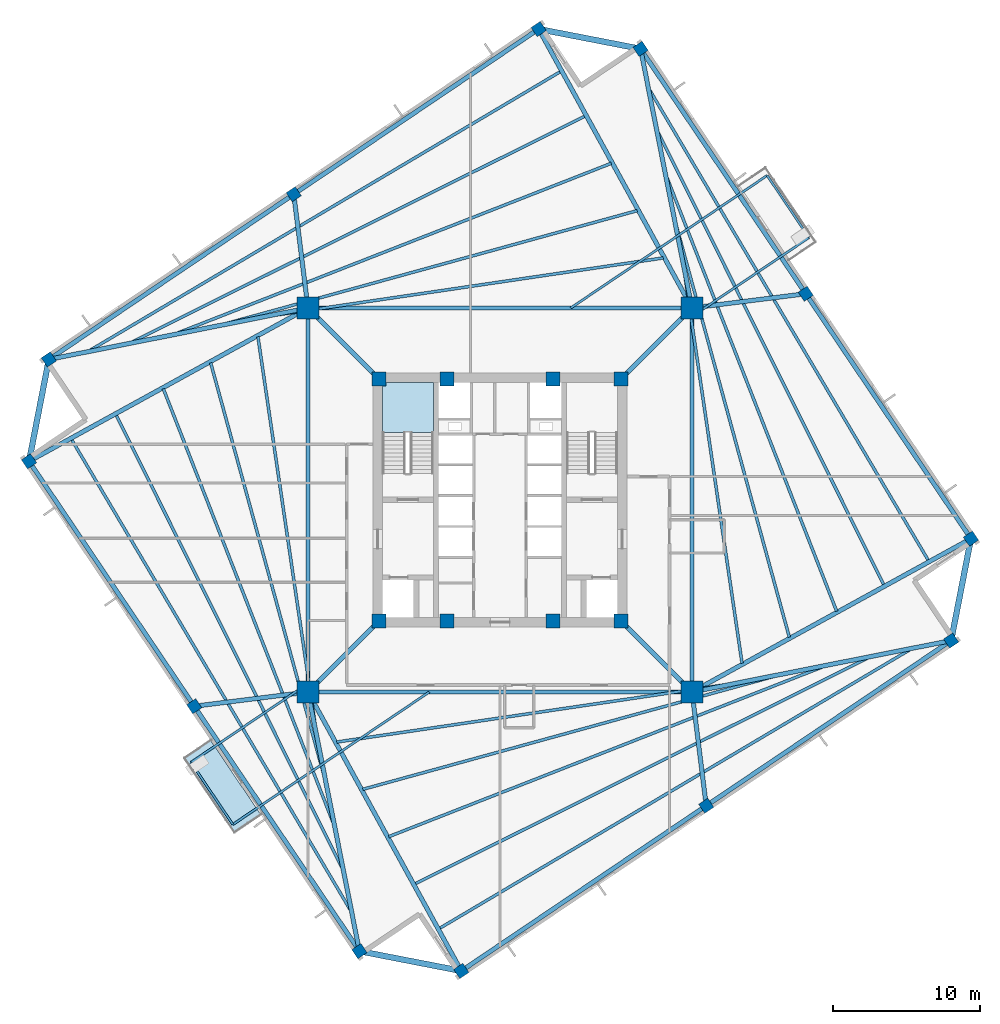
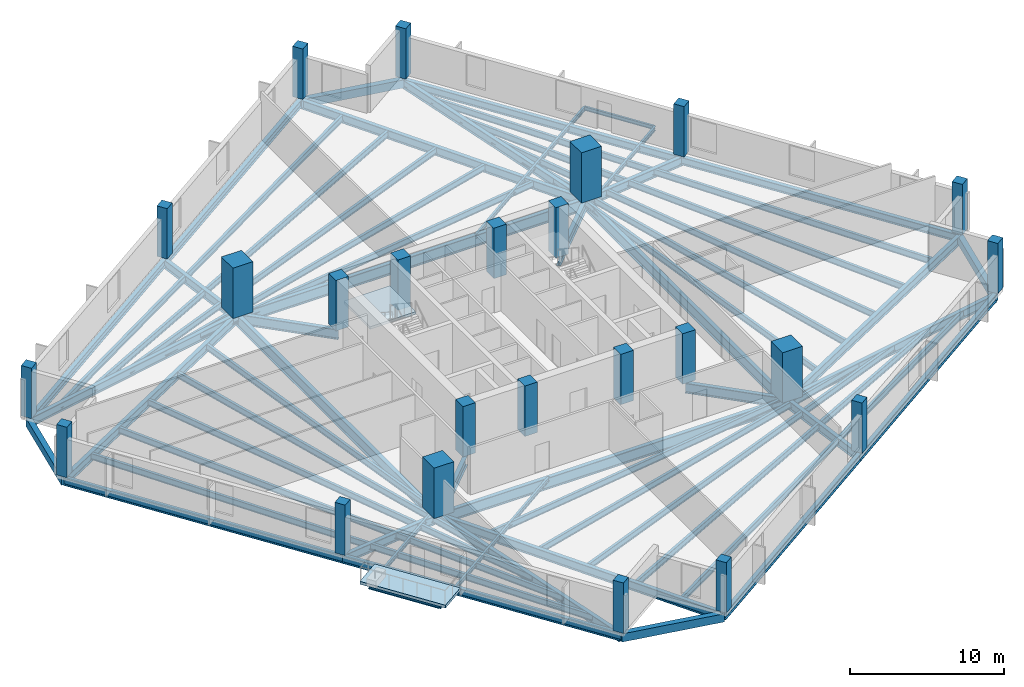
# One storey, part 1 of 9: 58 beams, 24 columns, 2 slabs, 1 element without a shape of its own.
"""IFC4 building model written with IfcOpenShell, lengths in metres."""

from ifc_helpers import new_model, si_unit, direction, frame, origin, origin_2d, place, context, subcontext, project, spatial, polyline, rectangle, i_section, outline, extrude, source, transform, mapped, material, layer, layer_set, material_profile, profile_set, type_object, element, aggregate, save


model = new_model("IFC4")

# Units and contexts
model_context = context("Model", 3, precision=1e-05, world=origin(), true_north=direction((0.0, 1.0)))
body_context = subcontext(model_context, "Body", "Model", "MODEL_VIEW")
ifc_project = project(units=[si_unit("LENGTHUNIT", "METRE"), si_unit("AREAUNIT", "SQUARE_METRE"), si_unit("VOLUMEUNIT", "CUBIC_METRE"), si_unit("PLANEANGLEUNIT", "RADIAN"), si_unit("MASSUNIT", "GRAM", prefix="KILO"), si_unit("THERMODYNAMICTEMPERATUREUNIT", "KELVIN")], contexts=[model_context])

# Site, building, storey
site_placement = place(None, origin())
site = spatial("IfcSite", under=ifc_project, at=site_placement, CompositionType="ELEMENT")
building_placement = place(site_placement, origin())
building = spatial("IfcBuilding", under=site, at=building_placement, Name="Kosmvard Interchange Tower", CompositionType="ELEMENT")
storey_placement = place(building_placement, frame((0.0, 0.0, 180.39990234375)))
storey = spatial("IfcBuildingStorey", under=building, at=storey_placement, Name="L43", CompositionType="ELEMENT", Elevation=180.39990234375)

# Columns
ifc_material_1 = material(Name="Concrete C60/75", Category="concrete")
ifc_material_profile_1 = material_profile(ifc_material_1, rectangle(XDim=0.949951171875, YDim=0.949951171875, at=origin_2d()), Name="CP 950x950")
ifc_profile_set_1 = profile_set([ifc_material_profile_1], Name="Concrete C60/75")
column_type_1 = type_object("IfcColumnType", Name="Core Boundary Pilaster 950x950 C60/75", PredefinedType="PILASTER", material=ifc_profile_set_1)
shared_shape_1 = source(origin(), body_context, "Body", "SweptSolid", [
    extrude(rectangle(XDim=0.949951171875, YDim=0.949951171875, at=origin_2d()), origin(), (0.0, 0.0, 1.0), 4.0),
])
for number, where, z_axis, x_axis, name in (
    (1, (-8.25, -8.25, 0.0), (0.0, 0.0, 1.0), (1.0, 0.0, 0.0), "L43 Core Pilaster CP1"),
    (2, (8.25, -8.25, 0.0), (0.0, 0.0, 1.0), (1.0, 0.0, 0.0), "L43 Core Pilaster CP2"),
    (3, (8.25, 8.25, 0.0), (0.0, 0.0, 1.0), (1.0, 0.0, 0.0), "L43 Core Pilaster CP3"),
    (4, (-8.25, 8.25, 0.0), (0.0, 0.0, 1.0), (1.0, 0.0, 0.0), "L43 Core Pilaster CP4"),
    (5, (-3.60009765625, -8.25, 0.0), (0.0, 0.0, 1.0), (1.0, 0.0, 0.0), "L43 Core Pilaster CP5"),
    (6, (3.60009765625, -8.25, 0.0), (0.0, 0.0, 1.0), (1.0, 0.0, 0.0), "L43 Core Pilaster CP6"),
    (7, (-3.60009765625, 8.25, 0.0), (0.0, 0.0, 1.0), (1.0, 0.0, 0.0), "L43 Core Pilaster CP7"),
    (8, (3.60009765625, 8.25, 0.0), (0.0, 0.0, 1.0), (1.0, 0.0, 0.0), "L43 Core Pilaster CP8"),
):
    element("IfcColumn", number, at=place(storey_placement, frame(where, z_axis=z_axis, x_axis=x_axis)), inside=storey, type_object=column_type_1, Name=name, PredefinedType="PILASTER", context=body_context, shape_type="MappedRepresentation", body=[
        mapped(shared_shape_1, transform((0.0, 0.0, 0.0), scale=1.0)),
    ])
ifc_material_profile_2 = material_profile(ifc_material_1, rectangle(XDim=1.5, YDim=1.5, at=origin_2d()), Name="MC 1500x1500")
ifc_profile_set_2 = profile_set([ifc_material_profile_2], Name="Concrete C60/75")
column_type_2 = type_object("IfcColumnType", Name="Composite Mega-Column 1500x1500 C60/75", PredefinedType="COLUMN", material=ifc_profile_set_2)
shared_shape_2 = source(origin(), body_context, "Body", "SweptSolid", [
    extrude(rectangle(XDim=1.5, YDim=1.5, at=origin_2d()), origin(), (0.0, 0.0, 1.0), 4.0),
])
for number, where, z_axis, x_axis, name in (
    (9, (-13.0810546875, -13.0810546875, 0.0), (0.0, 0.0, 1.0), (1.0, 0.0, 0.0), "L43 Corner Mega-Column MC1"),
    (10, (13.0810546875, -13.0810546875, 0.0), (0.0, 0.0, 1.0), (1.0, 0.0, 0.0), "L43 Corner Mega-Column MC2"),
    (11, (13.0810546875, 13.0810546875, 0.0), (0.0, 0.0, 1.0), (1.0, 0.0, 0.0), "L43 Corner Mega-Column MC3"),
    (12, (-13.0810546875, 13.0810546875, 0.0), (0.0, 0.0, 1.0), (1.0, 0.0, 0.0), "L43 Corner Mega-Column MC4"),
):
    element("IfcColumn", number, at=place(storey_placement, frame(where, z_axis=z_axis, x_axis=x_axis)), inside=storey, type_object=column_type_2, Name=name, PredefinedType="COLUMN", context=body_context, shape_type="MappedRepresentation", body=[
        mapped(shared_shape_2, transform((0.0, 0.0, 0.0), scale=1.0)),
    ])
ifc_material_2 = material(Name="Concrete C50/60", Category="concrete")
ifc_material_profile_3 = material_profile(ifc_material_2, rectangle(XDim=0.75, YDim=0.75, at=origin_2d()), Name="TC 750x750")
ifc_profile_set_3 = profile_set([ifc_material_profile_3], Name="Concrete C50/60")
column_type_3 = type_object("IfcColumnType", Name="Zone 3 Perimeter Pier Column 750x750 C50/60", PredefinedType="COLUMN", material=ifc_profile_set_3)
shared_shape_3 = source(origin(), body_context, "Body", "SweptSolid", [
    extrude(rectangle(XDim=0.75, YDim=0.75, at=origin_2d()), origin(), (0.0, 0.0, 1.0), 4.0),
])
for number, where, z_axis, x_axis, name in (
    (13, (-2.634765625, -32.083251953125, 0.0), (0.0, 0.0, 1.0), (0.829037572555, 0.559192903471, 0.0), "L43 Perimeter Pier Column TC-S1"),
    (14, (14.0498046875, -20.82958984375, 0.0), (0.0, 0.0, 1.0), (0.829037572555, 0.559192903471, 0.0), "L43 Perimeter Pier Column TC-S2"),
    (15, (30.734130859375, -9.575927734375, 0.0), (0.0, 0.0, 1.0), (0.829037572555, 0.559192903471, 0.0), "L43 Perimeter Pier Column TC-S3"),
    (16, (32.083251953125, -2.634765625, 0.0), (0.0, 0.0, 1.0), (0.829037572555, 0.559192903471, 0.0), "L43 Perimeter Pier Column TC-E1"),
    (17, (20.82958984375, 14.0498046875, 0.0), (0.0, 0.0, 1.0), (0.829037572555, 0.559192903471, 0.0), "L43 Perimeter Pier Column TC-E2"),
    (18, (9.575927734375, 30.734130859375, 0.0), (0.0, 0.0, 1.0), (0.829037572555, 0.559192903471, 0.0), "L43 Perimeter Pier Column TC-E3"),
    (19, (2.634765625, 32.083251953125, 0.0), (0.0, 0.0, 1.0), (0.829037572555, 0.559192903471, 0.0), "L43 Perimeter Pier Column TC-N1"),
    (20, (-14.0498046875, 20.82958984375, 0.0), (0.0, 0.0, 1.0), (0.829037572555, 0.559192903471, 0.0), "L43 Perimeter Pier Column TC-N2"),
    (21, (-30.734130859375, 9.575927734375, 0.0), (0.0, 0.0, 1.0), (0.829037572555, 0.559192903471, 0.0), "L43 Perimeter Pier Column TC-N3"),
    (22, (-32.083251953125, 2.634765625, 0.0), (0.0, 0.0, 1.0), (0.829037572555, 0.559192903471, 0.0), "L43 Perimeter Pier Column TC-W1"),
    (23, (-20.82958984375, -14.0498046875, 0.0), (0.0, 0.0, 1.0), (0.829037572555, 0.559192903471, 0.0), "L43 Perimeter Pier Column TC-W2"),
    (24, (-9.575927734375, -30.734130859375, 0.0), (0.0, 0.0, 1.0), (0.829037572555, 0.559192903471, 0.0), "L43 Perimeter Pier Column TC-W3"),
):
    element("IfcColumn", number, at=place(storey_placement, frame(where, z_axis=z_axis, x_axis=x_axis)), inside=storey, type_object=column_type_3, Name=name, PredefinedType="COLUMN", context=body_context, shape_type="MappedRepresentation", body=[
        mapped(shared_shape_3, transform((0.0, 0.0, 0.0), scale=1.0)),
    ])

# Beams
ifc_material_3 = material(Name="Steel S355", Category="steel")
ifc_material_profile_4 = material_profile(ifc_material_3, i_section(OverallWidth=0.14990234375, OverallDepth=0.300048828125, WebThickness=0.007080078125, FlangeThickness=0.0107421875, FilletRadius=0.014892578125, at=origin_2d()), Name="IPE 300")
ifc_profile_set_4 = profile_set([ifc_material_profile_4], Name="Steel S355")
beam_type_1 = type_object("IfcBeamType", Name="Balcony Edge Header Joist IPE 300 S355", PredefinedType="JOIST", material=ifc_profile_set_4)
shared_shape_4 = source(origin(), body_context, "Body", "SweptSolid", [
    extrude(i_section(OverallWidth=0.14990234375, OverallDepth=0.300048828125, WebThickness=0.007080078125, FlangeThickness=0.0107421875, FilletRadius=0.014892578125, at=origin_2d()), origin(), (0.0, 0.0, 1.0), 5.099853515625),
])
for number, where, z_axis, x_axis, name in (
    (25, (21.051513671875, 17.87841796875, -0.409912109375), (-0.559188346666, 0.82904064614, 0.0), (-0.82904064614, -0.559188346666, 0.0), "BM-L43-BJH1"),
    (26, (-21.051513671875, -17.87841796875, -0.409912109375), (0.559188346666, -0.82904064614, 0.0), (0.82904064614, 0.559188346666, 0.0), "BM-L43-BJH2"),
):
    element("IfcBeam", number, at=place(storey_placement, frame(where, z_axis=z_axis, x_axis=x_axis)), inside=storey, type_object=beam_type_1, Name=name, PredefinedType="JOIST", context=body_context, shape_type="MappedRepresentation", body=[
        mapped(shared_shape_4, transform((0.0, 0.0, 0.0), scale=1.0)),
    ])
ifc_material_profile_5 = material_profile(ifc_material_3, i_section(OverallWidth=0.300048828125, OverallDepth=0.800048828125, WebThickness=0.017578125, FlangeThickness=0.032958984375, FilletRadius=0.027099609375, at=origin_2d()), Name="HEB 800")
ifc_profile_set_5 = profile_set([ifc_material_profile_5], Name="Steel S355")
beam_type_2 = type_object("IfcBeamType", Name="Primary Mega-Frame Girder HEB 800 S355", PredefinedType="BEAM", material=ifc_profile_set_5)
shared_shape_5 = source(origin(), body_context, "Body", "SweptSolid", [
    extrude(i_section(OverallWidth=0.300048828125, OverallDepth=0.800048828125, WebThickness=0.017578125, FlangeThickness=0.032958984375, FilletRadius=0.027099609375, at=origin_2d()), origin(), (0.0, 0.0, 1.0), 6.83203125),
])
for number, where, z_axis, x_axis, name in (
    (27, (-8.25, -8.25, -0.659912109375), (-0.707106781187, -0.707106781187, 0.0), (0.707106781187, -0.707106781187, 0.0), "L43 Radial Mega-Frame Girder 1"),
    (28, (8.25, -8.25, -0.659912109375), (0.707106781187, -0.707106781187, 0.0), (0.707106781187, 0.707106781187, 0.0), "L43 Radial Mega-Frame Girder 2"),
    (29, (8.25, 8.25, -0.659912109375), (0.707106781187, 0.707106781187, 0.0), (-0.707106781187, 0.707106781187, 0.0), "L43 Radial Mega-Frame Girder 3"),
    (30, (-8.25, 8.25, -0.659912109375), (-0.707106781187, 0.707106781187, 0.0), (-0.707106781187, -0.707106781187, 0.0), "L43 Radial Mega-Frame Girder 4"),
):
    element("IfcBeam", number, at=place(storey_placement, frame(where, z_axis=z_axis, x_axis=x_axis)), inside=storey, type_object=beam_type_2, Name=name, PredefinedType="BEAM", context=body_context, shape_type="MappedRepresentation", body=[
        mapped(shared_shape_5, transform((0.0, 0.0, 0.0), scale=1.0)),
    ])
ifc_material_profile_6 = material_profile(ifc_material_3, i_section(OverallWidth=0.300048828125, OverallDepth=0.89990234375, WebThickness=0.0185546875, FlangeThickness=0.034912109375, FilletRadius=0.030029296875, at=origin_2d()), Name="HEB 900")
ifc_profile_set_6 = profile_set([ifc_material_profile_6], Name="Steel S355")
beam_type_3 = type_object("IfcBeamType", Name="Mega-Column Ring Girder HEB 900 S355", PredefinedType="BEAM", material=ifc_profile_set_6)
shared_shape_6 = source(origin(), body_context, "Body", "SweptSolid", [
    extrude(i_section(OverallWidth=0.300048828125, OverallDepth=0.89990234375, WebThickness=0.0185546875, FlangeThickness=0.034912109375, FilletRadius=0.030029296875, at=origin_2d()), origin(), (0.0, 0.0, 1.0), 26.162109375),
])
for number, where, z_axis, x_axis, name in (
    (31, (-13.0810546875, -13.0810546875, -0.7099609375), (1.0, 0.0, 0.0), (0.0, 1.0, 0.0), "L43 Mega-Column Ring Girder 1"),
    (32, (13.0810546875, -13.0810546875, -0.7099609375), (0.0, 1.0, 0.0), (-1.0, 0.0, 0.0), "L43 Mega-Column Ring Girder 2"),
    (33, (13.0810546875, 13.0810546875, -0.7099609375), (-1.0, 0.0, 0.0), (0.0, -1.0, 0.0), "L43 Mega-Column Ring Girder 3"),
    (34, (-13.0810546875, 13.0810546875, -0.7099609375), (0.0, -1.0, 0.0), (1.0, 0.0, 0.0), "L43 Mega-Column Ring Girder 4"),
):
    element("IfcBeam", number, at=place(storey_placement, frame(where, z_axis=z_axis, x_axis=x_axis)), inside=storey, type_object=beam_type_3, Name=name, PredefinedType="BEAM", context=body_context, shape_type="MappedRepresentation", body=[
        mapped(shared_shape_6, transform((0.0, 0.0, 0.0), scale=1.0)),
    ])
ifc_material_profile_7 = material_profile(ifc_material_3, i_section(OverallWidth=0.300048828125, OverallDepth=0.60009765625, WebThickness=0.015380859375, FlangeThickness=0.030029296875, FilletRadius=0.027099609375, at=origin_2d()), Name="HEB 600")
ifc_profile_set_7 = profile_set([ifc_material_profile_7], Name="Steel S355")
beam_type_4 = type_object("IfcBeamType", Name="Perimeter Tie Girder HEB 600 S355", PredefinedType="BEAM", material=ifc_profile_set_7)
shared_shape_7 = source(origin(), body_context, "Body", "SweptSolid", [
    extrude(i_section(OverallWidth=0.300048828125, OverallDepth=0.60009765625, WebThickness=0.015380859375, FlangeThickness=0.030029296875, FilletRadius=0.027099609375, at=origin_2d()), origin(), (0.0, 0.0, 1.0), 20.125),
])
for number, where, z_axis, x_axis, name in (
    (35, (-2.634765625, -32.083251953125, -0.559814453125), (0.82904270175, 0.559185299051, 0.0), (-0.559185299051, 0.82904270175, 0.0), "BM-L43-PR01"),
    (36, (14.0498046875, -20.82958984375, -0.559814453125), (0.829038908426, 0.559190922956, 0.0), (-0.559190922956, 0.829038908426, 0.0), "BM-L43-PR02"),
    (37, (32.083251953125, -2.634765625, -0.559814453125), (-0.559185299051, 0.82904270175, 0.0), (-0.82904270175, -0.559185299051, 0.0), "BM-L43-PR04"),
    (38, (20.82958984375, 14.0498046875, -0.559814453125), (-0.559190922956, 0.829038908426, 0.0), (-0.829038908426, -0.559190922956, 0.0), "BM-L43-PR05"),
    (39, (2.634765625, 32.083251953125, -0.559814453125), (-0.82904270175, -0.559185299051, 0.0), (0.559185299051, -0.82904270175, 0.0), "BM-L43-PR07"),
    (40, (-14.0498046875, 20.82958984375, -0.559814453125), (-0.829038908426, -0.559190922956, 0.0), (0.559190922956, -0.829038908426, 0.0), "BM-L43-PR08"),
    (41, (-32.083251953125, 2.634765625, -0.559814453125), (0.559185299051, -0.82904270175, 0.0), (0.82904270175, 0.559185299051, 0.0), "BM-L43-PR10"),
    (42, (-20.82958984375, -14.0498046875, -0.559814453125), (0.559190922956, -0.829038908426, 0.0), (0.829038908426, 0.559190922956, 0.0), "BM-L43-PR11"),
):
    element("IfcBeam", number, at=place(storey_placement, frame(where, z_axis=z_axis, x_axis=x_axis)), inside=storey, type_object=beam_type_4, Name=name, PredefinedType="BEAM", context=body_context, shape_type="MappedRepresentation", body=[
        mapped(shared_shape_7, transform((0.0, 0.0, 0.0), scale=1.0)),
    ])
ifc_material_profile_8 = material_profile(ifc_material_3, i_section(OverallWidth=0.300048828125, OverallDepth=0.699951171875, WebThickness=0.01708984375, FlangeThickness=0.031982421875, FilletRadius=0.027099609375, at=origin_2d()), Name="HEB 700")
ifc_profile_set_8 = profile_set([ifc_material_profile_8], Name="Steel S355")
beam_type_5 = type_object("IfcBeamType", Name="Primary Floor Girder HEB 700 S355", PredefinedType="BEAM", material=ifc_profile_set_8)
shared_shape_8 = source(origin(), body_context, "Body", "SweptSolid", [
    extrude(i_section(OverallWidth=0.300048828125, OverallDepth=0.699951171875, WebThickness=0.01708984375, FlangeThickness=0.031982421875, FilletRadius=0.027099609375, at=origin_2d()), origin(), (0.0, 0.0, 1.0), 21.684326171875),
])
for number, where, z_axis, x_axis, name in (
    (43, (-13.0810546875, -13.0810546875, -0.60986328125), (0.48174456271, -0.876311689012, 0.0), (0.876311689012, 0.48174456271, 0.0), "BM-L43-RD01"),
    (44, (13.0810546875, -13.0810546875, -0.60986328125), (0.876311689012, 0.48174456271, 0.0), (-0.48174456271, 0.876311689012, 0.0), "BM-L43-RD04"),
    (45, (13.0810546875, 13.0810546875, -0.60986328125), (-0.48174456271, 0.876311689012, 0.0), (-0.876311689012, -0.48174456271, 0.0), "BM-L43-RD07"),
    (46, (-13.0810546875, 13.0810546875, -0.60986328125), (-0.876311689012, -0.48174456271, 0.0), (0.48174456271, -0.876311689012, 0.0), "BM-L43-RD10"),
):
    element("IfcBeam", number, at=place(storey_placement, frame(where, z_axis=z_axis, x_axis=x_axis)), inside=storey, type_object=beam_type_5, Name=name, PredefinedType="BEAM", context=body_context, shape_type="MappedRepresentation", body=[
        mapped(shared_shape_8, transform((0.0, 0.0, 0.0), scale=1.0)),
    ])
shared_shape_9 = source(origin(), body_context, "Body", "SweptSolid", [
    extrude(i_section(OverallWidth=0.300048828125, OverallDepth=0.699951171875, WebThickness=0.01708984375, FlangeThickness=0.031982421875, FilletRadius=0.027099609375, at=origin_2d()), origin(), (0.0, 0.0, 1.0), 7.808837890625),
])
for number, where, z_axis, x_axis, name in (
    (47, (13.0810546875, -13.0810546875, -0.60986328125), (0.12405782224, -0.992274990485, 0.0), (0.992274990485, 0.12405782224, 0.0), "BM-L43-RD02"),
    (48, (13.0810546875, 13.0810546875, -0.60986328125), (0.992274990485, 0.12405782224, 0.0), (-0.12405782224, 0.992274990485, 0.0), "BM-L43-RD05"),
    (49, (-13.0810546875, 13.0810546875, -0.60986328125), (-0.12405782224, 0.992274990485, 0.0), (-0.992274990485, -0.12405782224, 0.0), "BM-L43-RD08"),
    (50, (-13.0810546875, -13.0810546875, -0.60986328125), (-0.992274990485, -0.12405782224, 0.0), (0.12405782224, -0.992274990485, 0.0), "BM-L43-RD11"),
):
    element("IfcBeam", number, at=place(storey_placement, frame(where, z_axis=z_axis, x_axis=x_axis)), inside=storey, type_object=beam_type_5, Name=name, PredefinedType="BEAM", context=body_context, shape_type="MappedRepresentation", body=[
        mapped(shared_shape_9, transform((0.0, 0.0, 0.0), scale=1.0)),
    ])
ifc_material_4 = material(Name="Precast concrete C45/55", Category="concrete")
ifc_material_profile_9 = material_profile(ifc_material_4, rectangle(XDim=0.39990234375, YDim=0.64990234375, at=origin_2d()), Name="SL 400x650")
ifc_profile_set_9 = profile_set([ifc_material_profile_9], Name="Precast concrete C45/55")
beam_type_6 = type_object("IfcBeamType", Name="Precast Spandrel Lintel 400x650 C45/55", PredefinedType="LINTEL", material=ifc_profile_set_9)
shared_shape_10 = source(origin(), body_context, "Body", "SweptSolid", [
    extrude(rectangle(XDim=0.39990234375, YDim=0.64990234375, at=origin_2d()), origin(), (0.0, 0.0, 1.0), 7.071044921875),
])
for number, where, z_axis, x_axis, name in (
    (51, (30.734130859375, -9.575927734375, -0.5849609375), (0.190794803533, 0.981629941956, 0.0), (-0.981629941956, 0.190794803533, 0.0), "BM-L43-SL1"),
    (52, (9.575927734375, 30.734130859375, -0.5849609375), (-0.981629941956, 0.190794803533, 0.0), (-0.190794803533, -0.981629941956, 0.0), "BM-L43-SL2"),
    (53, (-30.734130859375, 9.575927734375, -0.5849609375), (-0.190794803533, -0.981629941956, 0.0), (0.981629941956, -0.190794803533, 0.0), "BM-L43-SL3"),
    (54, (-9.575927734375, -30.734130859375, -0.5849609375), (0.981629941956, -0.190794803533, 0.0), (0.190794803533, 0.981629941956, 0.0), "BM-L43-SL4"),
):
    element("IfcBeam", number, at=place(storey_placement, frame(where, z_axis=z_axis, x_axis=x_axis)), inside=storey, type_object=beam_type_6, Name=name, PredefinedType="LINTEL", context=body_context, shape_type="MappedRepresentation", body=[
        mapped(shared_shape_10, transform((0.0, 0.0, 0.0), scale=1.0)),
    ])
shared_shape_11 = source(origin(), body_context, "Body", "SweptSolid", [
    extrude(i_section(OverallWidth=0.300048828125, OverallDepth=0.699951171875, WebThickness=0.01708984375, FlangeThickness=0.031982421875, FilletRadius=0.027099609375, at=origin_2d()), origin(), (0.0, 0.0, 1.0), 17.997802734375),
])
for number, where, z_axis, x_axis, name in (
    (55, (13.0810546875, -13.0810546875, -0.60986328125), (0.980852075755, 0.194754218148, 0.0), (-0.194754218148, 0.980852075755, 0.0), "BM-L43-RD03"),
    (56, (13.0810546875, 13.0810546875, -0.60986328125), (-0.194754218148, 0.980852075755, 0.0), (-0.980852075755, -0.194754218148, 0.0), "BM-L43-RD06"),
    (57, (-13.0810546875, 13.0810546875, -0.60986328125), (-0.980852075755, -0.194754218148, 0.0), (0.194754218148, -0.980852075755, 0.0), "BM-L43-RD09"),
    (58, (-13.0810546875, -13.0810546875, -0.60986328125), (0.194754218148, -0.980852075755, 0.0), (0.980852075755, 0.194754218148, 0.0), "BM-L43-RD12"),
):
    element("IfcBeam", number, at=place(storey_placement, frame(where, z_axis=z_axis, x_axis=x_axis)), inside=storey, type_object=beam_type_5, Name=name, PredefinedType="BEAM", context=body_context, shape_type="MappedRepresentation", body=[
        mapped(shared_shape_11, transform((0.0, 0.0, 0.0), scale=1.0)),
    ])
ifc_material_profile_10 = material_profile(ifc_material_3, i_section(OverallWidth=0.199951171875, OverallDepth=0.5, WebThickness=0.01025390625, FlangeThickness=0.01611328125, FilletRadius=0.02099609375, at=origin_2d()), Name="IPE 500")
ifc_profile_set_10 = profile_set([ifc_material_profile_10], Name="Steel S355")
beam_type_7 = type_object("IfcBeamType", Name="Standard Floor Joist IPE 500 S355", PredefinedType="JOIST", material=ifc_profile_set_10)
shared_shape_12 = source(origin(), body_context, "Body", "SweptSolid", [
    extrude(i_section(OverallWidth=0.199951171875, OverallDepth=0.5, WebThickness=0.01025390625, FlangeThickness=0.01611328125, FilletRadius=0.02099609375, at=origin_2d()), origin(), (0.0, 0.0, 1.0), 27.5966796875),
])
for number, where, z_axis, x_axis, name in (
    (59, (-11.12158203125, -16.48974609375, -0.510009765625), (0.989290070387, 0.145962860463, 0.0), (-0.145962860463, 0.989290070387, 0.0), "BM-L43-FJ01"),
    (60, (16.48974609375, -11.12158203125, -0.510009765625), (-0.145962860463, 0.989290070387, 0.0), (-0.989290070387, -0.145962860463, 0.0), "BM-L43-FJ06"),
    (61, (11.12158203125, 16.48974609375, -0.510009765625), (-0.989290070387, -0.145962860463, 0.0), (0.145962860463, -0.989290070387, 0.0), "BM-L43-FJ11"),
    (62, (-16.48974609375, 11.12158203125, -0.510009765625), (0.145962860463, -0.989290070387, 0.0), (0.989290070387, 0.145962860463, 0.0), "BM-L43-FJ16"),
):
    element("IfcBeam", number, at=place(storey_placement, frame(where, z_axis=z_axis, x_axis=x_axis)), inside=storey, type_object=beam_type_7, Name=name, PredefinedType="JOIST", context=body_context, shape_type="MappedRepresentation", body=[
        mapped(shared_shape_12, transform((0.0, 0.0, 0.0), scale=1.0)),
    ])
shared_shape_13 = source(origin(), body_context, "Body", "SweptSolid", [
    extrude(i_section(OverallWidth=0.199951171875, OverallDepth=0.5, WebThickness=0.01025390625, FlangeThickness=0.01611328125, FilletRadius=0.02099609375, at=origin_2d()), origin(), (0.0, 0.0, 1.0), 29.58642578125),
])
for number, where, z_axis, x_axis, name in (
    (63, (-9.34765625, -19.710693359375, -0.510009765625), (0.964296527467, 0.264824861209, 0.0), (-0.264824861209, 0.964296527467, 0.0), "BM-L43-FJ02"),
    (64, (19.710693359375, -9.34765625, -0.510009765625), (-0.264824861209, 0.964296527467, 0.0), (-0.964296527467, -0.264824861209, 0.0), "BM-L43-FJ07"),
    (65, (9.34765625, 19.710693359375, -0.510009765625), (-0.964296527467, -0.264824861209, 0.0), (0.264824861209, -0.964296527467, 0.0), "BM-L43-FJ12"),
    (66, (-19.710693359375, 9.34765625, -0.510009765625), (0.264824861209, -0.964296527467, 0.0), (0.964296527467, 0.264824861209, 0.0), "BM-L43-FJ17"),
):
    element("IfcBeam", number, at=place(storey_placement, frame(where, z_axis=z_axis, x_axis=x_axis)), inside=storey, type_object=beam_type_7, Name=name, PredefinedType="JOIST", context=body_context, shape_type="MappedRepresentation", body=[
        mapped(shared_shape_13, transform((0.0, 0.0, 0.0), scale=1.0)),
    ])
shared_shape_14 = source(origin(), body_context, "Body", "SweptSolid", [
    extrude(i_section(OverallWidth=0.199951171875, OverallDepth=0.5, WebThickness=0.01025390625, FlangeThickness=0.01611328125, FilletRadius=0.02099609375, at=origin_2d()), origin(), (0.0, 0.0, 1.0), 31.9580078125),
])
for number, where, z_axis, x_axis, name in (
    (67, (-7.574462890625, -22.93310546875, -0.510009765625), (0.931239172846, 0.364408565976, 0.0), (-0.364408565976, 0.931239172846, 0.0), "BM-L43-FJ03"),
    (68, (22.93310546875, -7.574462890625, -0.510009765625), (-0.364408565976, 0.931239172846, 0.0), (-0.931239172846, -0.364408565976, 0.0), "BM-L43-FJ08"),
    (69, (7.574462890625, 22.93310546875, -0.510009765625), (-0.931239172846, -0.364408565976, 0.0), (0.364408565976, -0.931239172846, 0.0), "BM-L43-FJ13"),
    (70, (-22.93310546875, 7.574462890625, -0.510009765625), (0.364408565976, -0.931239172846, 0.0), (0.931239172846, 0.364408565976, 0.0), "BM-L43-FJ18"),
):
    element("IfcBeam", number, at=place(storey_placement, frame(where, z_axis=z_axis, x_axis=x_axis)), inside=storey, type_object=beam_type_7, Name=name, PredefinedType="JOIST", context=body_context, shape_type="MappedRepresentation", body=[
        mapped(shared_shape_14, transform((0.0, 0.0, 0.0), scale=1.0)),
    ])
shared_shape_15 = source(origin(), body_context, "Body", "SweptSolid", [
    extrude(i_section(OverallWidth=0.199951171875, OverallDepth=0.5, WebThickness=0.01025390625, FlangeThickness=0.01611328125, FilletRadius=0.02099609375, at=origin_2d()), origin(), (0.0, 0.0, 1.0), 34.633056640625),
])
for number, where, z_axis, x_axis, name in (
    (71, (-5.801513671875, -26.156982421875, -0.510009765625), (0.894853974707, 0.446359007921, 0.0), (-0.446359007921, 0.894853974707, 0.0), "BM-L43-FJ04"),
    (72, (26.156982421875, -5.801513671875, -0.510009765625), (-0.446359007921, 0.894853974707, 0.0), (-0.894853974707, -0.446359007921, 0.0), "BM-L43-FJ09"),
    (73, (5.801513671875, 26.156982421875, -0.510009765625), (-0.894853974707, -0.446359007921, 0.0), (0.446359007921, -0.894853974707, 0.0), "BM-L43-FJ14"),
    (74, (-26.156982421875, 5.801513671875, -0.510009765625), (0.446359007921, -0.894853974707, 0.0), (0.894853974707, 0.446359007921, 0.0), "BM-L43-FJ19"),
):
    element("IfcBeam", number, at=place(storey_placement, frame(where, z_axis=z_axis, x_axis=x_axis)), inside=storey, type_object=beam_type_7, Name=name, PredefinedType="JOIST", context=body_context, shape_type="MappedRepresentation", body=[
        mapped(shared_shape_15, transform((0.0, 0.0, 0.0), scale=1.0)),
    ])
shared_shape_16 = source(origin(), body_context, "Body", "SweptSolid", [
    extrude(i_section(OverallWidth=0.199951171875, OverallDepth=0.5, WebThickness=0.01025390625, FlangeThickness=0.01611328125, FilletRadius=0.02099609375, at=origin_2d()), origin(), (0.0, 0.0, 1.0), 37.3701171875),
])
for number, where, z_axis, x_axis, name in (
    (75, (-4.1328125, -29.192138671875, -0.510009765625), (0.860316577026, 0.509760127212, 0.0), (-0.509760127212, 0.860316577026, 0.0), "BM-L43-FJ05"),
    (76, (29.192138671875, -4.1328125, -0.510009765625), (-0.509760127212, 0.860316577026, 0.0), (-0.860316577026, -0.509760127212, 0.0), "BM-L43-FJ10"),
    (77, (4.1328125, 29.192138671875, -0.510009765625), (-0.860316577026, -0.509760127212, 0.0), (0.509760127212, -0.860316577026, 0.0), "BM-L43-FJ15"),
    (78, (-29.192138671875, 4.1328125, -0.510009765625), (0.509760127212, -0.860316577026, 0.0), (0.860316577026, 0.509760127212, 0.0), "BM-L43-FJ20"),
):
    element("IfcBeam", number, at=place(storey_placement, frame(where, z_axis=z_axis, x_axis=x_axis)), inside=storey, type_object=beam_type_7, Name=name, PredefinedType="JOIST", context=body_context, shape_type="MappedRepresentation", body=[
        mapped(shared_shape_16, transform((0.0, 0.0, 0.0), scale=1.0)),
    ])
ifc_material_profile_11 = material_profile(ifc_material_3, i_section(OverallWidth=0.159912109375, OverallDepth=0.330078125, WebThickness=0.007568359375, FlangeThickness=0.011474609375, FilletRadius=0.01806640625, at=origin_2d()), Name="IPE 330")
ifc_profile_set_11 = profile_set([ifc_material_profile_11], Name="Steel S355")
beam_type_8 = type_object("IfcBeamType", Name="Balcony Cantilever Joist IPE 330 S355", PredefinedType="JOIST", material=ifc_profile_set_11)
shared_shape_17 = source(origin(), body_context, "Body", "SweptSolid", [
    extrude(i_section(OverallWidth=0.159912109375, OverallDepth=0.330078125, WebThickness=0.007568359375, FlangeThickness=0.011474609375, FilletRadius=0.01806640625, at=origin_2d()), origin(), (0.0, 0.0, 1.0), 9.6142578125),
])
for number, where, z_axis, x_axis, name in (
    (79, (13.0810546875, 12.502197265625, -0.4248046875), (0.829033800065, 0.559198496377, 0.0), (-0.559198496377, 0.829033800065, 0.0), "BM-L43-BJ1"),
    (80, (-13.0810546875, -12.502197265625, -0.4248046875), (-0.829033800065, -0.559198496377, 0.0), (0.559198496377, -0.829033800065, 0.0), "BM-L43-BJ2"),
):
    element("IfcBeam", number, at=place(storey_placement, frame(where, z_axis=z_axis, x_axis=x_axis)), inside=storey, type_object=beam_type_8, Name=name, PredefinedType="JOIST", context=body_context, shape_type="MappedRepresentation", body=[
        mapped(shared_shape_17, transform((0.0, 0.0, 0.0), scale=1.0)),
    ])
shared_shape_18 = source(origin(), body_context, "Body", "SweptSolid", [
    extrude(i_section(OverallWidth=0.159912109375, OverallDepth=0.330078125, WebThickness=0.007568359375, FlangeThickness=0.011474609375, FilletRadius=0.01806640625, at=origin_2d()), origin(), (0.0, 0.0, 1.0), 16.14013671875),
])
for number, where, z_axis, x_axis, name in (
    (81, (4.81884765625, 13.0810546875, -0.4248046875), (0.829040817826, 0.559188092129, 0.0), (-0.559188092129, 0.829040817826, 0.0), "BM-L43-BJB1"),
    (82, (-4.81884765625, -13.0810546875, -0.4248046875), (-0.829040817826, -0.559188092129, 0.0), (0.559188092129, -0.829040817826, 0.0), "BM-L43-BJB2"),
):
    element("IfcBeam", number, at=place(storey_placement, frame(where, z_axis=z_axis, x_axis=x_axis)), inside=storey, type_object=beam_type_8, Name=name, PredefinedType="JOIST", context=body_context, shape_type="MappedRepresentation", body=[
        mapped(shared_shape_18, transform((0.0, 0.0, 0.0), scale=1.0)),
    ])

# Stair, slab
stair_type = type_object("IfcStairType", Name="Dog-Leg Core Exit Stair H4000 C50/60", PredefinedType="HALF_TURN_STAIR", material=ifc_material_2)
stair_placement = place(storey_placement, origin())
stair = element("IfcStair", 83, at=stair_placement, inside=storey, type_object=stair_type, Name="L43 Protected Exit Stair ST-1", PredefinedType="HALF_TURN_STAIR")
ifc_layer_1 = layer(ifc_material_2, 0.199951171875, Name="Concrete C50/60")
ifc_layer_set_1 = layer_set([ifc_layer_1], Name="Concrete C50/60")
slab_type_1 = type_object("IfcSlabType", Name="Stair Half-Landing Slab 200 C50/60", PredefinedType="LANDING", material=ifc_layer_set_1)
slab_1_placement = place(storey_placement, frame((0.0, 0.0, 1.800048828125)))
slab_1 = element("IfcSlab", 84, at=slab_1_placement, type_object=slab_type_1, Name="ST-1 landing 1", PredefinedType="LANDING", context=body_context, shape_type="SweptSolid", body=[
    extrude(outline(polyline([(-4.5400390625, 4.60009765625), (-4.5400390625, 8.0), (-8.0, 8.0), (-8.0, 4.60009765625), (-4.5400390625, 4.60009765625)])), origin(), (0.0, 0.0, 1.0), 0.199951171875),
])
aggregate(stair, [slab_1])

# Slab
ifc_layer_2 = layer(ifc_material_2, 0.22998046875, Name="Concrete C50/60")
ifc_layer_set_2 = layer_set([ifc_layer_2], Name="Concrete C50/60")
slab_type_2 = type_object("IfcSlabType", Name="Tree-Planter Cantilever Balcony Slab 230 C50/60", PredefinedType="FLOOR", material=ifc_layer_set_2)
slab_2_placement = place(storey_placement, frame((0.0, 0.0, -0.22998046875)))
element("IfcSlab", 85, at=slab_2_placement, inside=storey, type_object=slab_type_2, Name="L43 Outdoor Terrace Balcony Slab BAL-L43-W", PredefinedType="FLOOR", context=body_context, shape_type="SweptSolid", body=[
    extrude(outline(polyline([(-18.099365234375, -22.702392578125), (-16.275390625, -21.47216796875), (-19.742431640625, -16.33203125), (-21.56640625, -17.562255859375), (-18.099365234375, -22.702392578125)])), origin(), (0.0, 0.0, 1.0), 0.22998046875),
])

save(model, "model.ifc")
